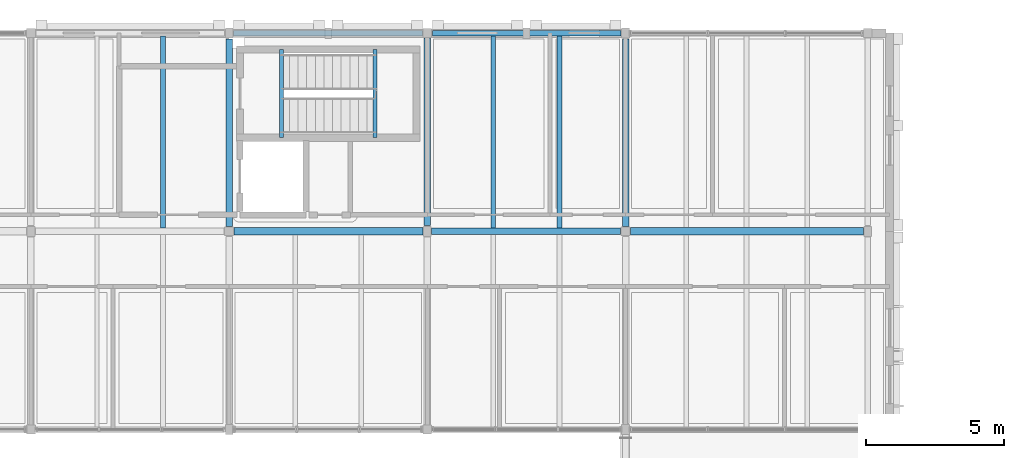
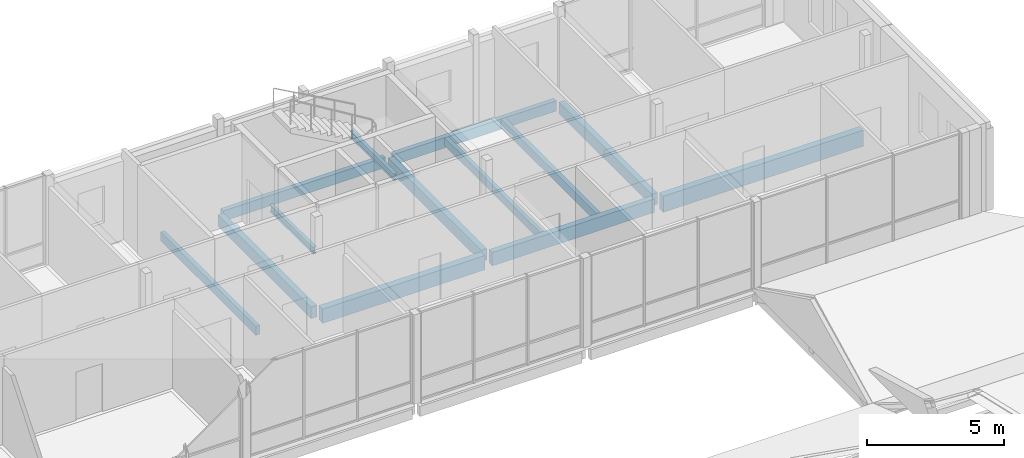
# One storey, part 30 of 115: 13 beams.
"""IFC4 building model written with IfcOpenShell, lengths in metres."""

from ifc_helpers import new_model, si_unit, direction, frame, origin, origin_2d, place, context, subcontext, project, spatial, rectangle, i_section, extrude, material, material_profile, profile_set, type_object, element, save


model = new_model("IFC4")

# Units and contexts
model_context = context("Model", 3, precision=1e-05, world=origin(), true_north=direction((0.0, 1.0)))
body_context = subcontext(model_context, "Body", "Model", "MODEL_VIEW")
ifc_project = project(units=[si_unit("LENGTHUNIT", "METRE"), si_unit("AREAUNIT", "SQUARE_METRE"), si_unit("VOLUMEUNIT", "CUBIC_METRE"), si_unit("PLANEANGLEUNIT", "RADIAN"), si_unit("MASSUNIT", "GRAM", prefix="KILO")], contexts=[model_context])

# Site, building, storey
site_placement = place(None, origin())
site = spatial("IfcSite", under=ifc_project, at=site_placement, CompositionType="ELEMENT")
building_placement = place(site_placement, origin())
building = spatial("IfcBuilding", under=site, at=building_placement, Name="Hawrajan Terrace Health Centre", CompositionType="ELEMENT")
storey_placement = place(building_placement, frame((0.0, 0.0, 9.0)))
storey = spatial("IfcBuildingStorey", under=building, at=storey_placement, Name="L02", CompositionType="ELEMENT", Elevation=9.0)

# Beams
ifc_material_1 = material(Name="Glulam GL32h", Category="wood")
ifc_material_profile_1 = material_profile(ifc_material_1, rectangle(XDim=0.239990234375, YDim=0.52001953125, at=origin_2d()), Name="GL BM 240x520")
ifc_profile_set_1 = profile_set([ifc_material_profile_1], Name="Glulam GL32h")
beam_type_1 = type_object("IfcBeamType", Name="GlulamGirder_240x520", PredefinedType="BEAM", material=ifc_profile_set_1)
for number, where, z_axis, x_axis, name in (
    (1, (47.800048828125, 52.780029296875, -0.5), (0.0, 1.0, 0.0), (-1.0, 0.0, 0.0), "Beam BM-Y-L02-W-X07-7"),
    (2, (55.0, 52.81005859375, -0.5), (0.0, 1.0, 0.0), (-1.0, 0.0, 0.0), "Beam BM-Y-L02-W-X08-7"),
    (3, (62.199951171875, 52.780029296875, -0.5), (0.0, 1.0, 0.0), (-1.0, 0.0, 0.0), "Beam BM-Y-L02-W-X09-7"),
):
    element("IfcBeam", number, at=place(storey_placement, frame(where, z_axis=z_axis, x_axis=x_axis)), inside=storey, type_object=beam_type_1, Name=name, PredefinedType="BEAM", context=body_context, shape_type="SweptSolid", body=[
        extrude(rectangle(XDim=0.239990234375, YDim=0.52001953125, at=origin_2d()), origin(), (0.0, 0.0, 1.0), 6.81005859375),
    ])
ifc_material_profile_2 = material_profile(ifc_material_1, rectangle(XDim=0.239990234375, YDim=0.60009765625, at=origin_2d()), Name="GL BM 240x600")
ifc_profile_set_2 = profile_set([ifc_material_profile_2], Name="Glulam GL32h")
beam_type_2 = type_object("IfcBeamType", Name="GlulamGirder_240x600", PredefinedType="BEAM", material=ifc_profile_set_2)
beam_1_placement = place(storey_placement, frame((55.159912109375, 52.60009765625, -0.5400390625), z_axis=(1.0, 0.0, 0.0), x_axis=(0.0, 1.0, 0.0)))
element("IfcBeam", 4, at=beam_1_placement, inside=storey, type_object=beam_type_2, Name="Beam BM-X-L02-W-08-Y7", PredefinedType="BEAM", context=body_context, shape_type="SweptSolid", body=[
    extrude(rectangle(XDim=0.239990234375, YDim=0.60009765625, at=origin_2d()), origin(), (0.0, 0.0, 1.0), 6.860107421875),
])
ifc_material_profile_3 = material_profile(ifc_material_1, rectangle(XDim=0.280029296875, YDim=0.639892578125, at=origin_2d()), Name="GL BM 280x640")
ifc_profile_set_3 = profile_set([ifc_material_profile_3], Name="Glulam GL32h")
beam_type_3 = type_object("IfcBeamType", Name="GlulamGirder_280x640", PredefinedType="BEAM", material=ifc_profile_set_3)
beam_2_placement = place(storey_placement, frame((47.97998046875, 52.60009765625, -0.56005859375), z_axis=(1.0, 0.0, 0.0), x_axis=(0.0, 1.0, 0.0)))
element("IfcBeam", 5, at=beam_2_placement, inside=storey, type_object=beam_type_3, Name="Beam BM-X-L02-W-07-Y7", PredefinedType="BEAM", context=body_context, shape_type="SweptSolid", body=[
    extrude(rectangle(XDim=0.280029296875, YDim=0.639892578125, at=origin_2d()), origin(), (0.0, 0.0, 1.0), 6.860107421875),
])
ifc_material_profile_4 = material_profile(ifc_material_1, rectangle(XDim=0.280029296875, YDim=0.719970703125, at=origin_2d()), Name="GL BM 280x720")
ifc_profile_set_4 = profile_set([ifc_material_profile_4], Name="Glulam GL32h")
beam_type_4 = type_object("IfcBeamType", Name="GlulamGirder_280x720", PredefinedType="BEAM", material=ifc_profile_set_4)
beam_3_placement = place(storey_placement, frame((62.3798828125, 52.60009765625, -0.60009765625), z_axis=(1.0, 0.0, 0.0), x_axis=(0.0, 1.0, 0.0)))
element("IfcBeam", 6, at=beam_3_placement, inside=storey, type_object=beam_type_4, Name="Beam BM-X-L02-W-09-Y7", PredefinedType="BEAM", context=body_context, shape_type="SweptSolid", body=[
    extrude(rectangle(XDim=0.280029296875, YDim=0.719970703125, at=origin_2d()), origin(), (0.0, 0.0, 1.0), 8.460205078125),
])
ifc_material_2 = material(Name="Glulam GL28h", Category="wood")
ifc_material_profile_5 = material_profile(ifc_material_2, rectangle(XDim=0.159912109375, YDim=0.360107421875, at=origin_2d()), Name="GL JST 160x360")
ifc_profile_set_5 = profile_set([ifc_material_profile_5], Name="Glulam GL28h")
beam_type_5 = type_object("IfcBeamType", Name="GlulamJoist_160x360", PredefinedType="JOIST", material=ifc_profile_set_5)
beam_4_placement = place(storey_placement, frame((57.39990234375, 52.719970703125, -0.419921875), z_axis=(0.0, 1.0, 0.0), x_axis=(-1.0, 0.0, 0.0)))
element("IfcBeam", 7, at=beam_4_placement, inside=storey, type_object=beam_type_5, Name="Secondary joist JST-L02-W-08-7-1", PredefinedType="JOIST", context=body_context, shape_type="SweptSolid", body=[
    extrude(rectangle(XDim=0.159912109375, YDim=0.360107421875, at=origin_2d()), origin(), (0.0, 0.0, 1.0), 6.97998046875),
])
ifc_material_profile_6 = material_profile(ifc_material_2, rectangle(XDim=0.179931640625, YDim=0.39990234375, at=origin_2d()), Name="GL JST 180x400")
ifc_profile_set_6 = profile_set([ifc_material_profile_6], Name="Glulam GL28h")
beam_type_6 = type_object("IfcBeamType", Name="GlulamJoist_180x400", PredefinedType="JOIST", material=ifc_profile_set_6)
for number, where, z_axis, x_axis, name in (
    (8, (45.39990234375, 52.719970703125, -0.43994140625), (0.0, 1.0, 0.0), (-1.0, 0.0, 0.0), "Secondary joist JST-L02-W-06-7-2"),
    (9, (59.800048828125, 52.719970703125, -0.43994140625), (0.0, 1.0, 0.0), (-1.0, 0.0, 0.0), "Secondary joist JST-L02-W-08-7-2"),
):
    element("IfcBeam", number, at=place(storey_placement, frame(where, z_axis=z_axis, x_axis=x_axis)), inside=storey, type_object=beam_type_6, Name=name, PredefinedType="JOIST", context=body_context, shape_type="SweptSolid", body=[
        extrude(rectangle(XDim=0.179931640625, YDim=0.39990234375, at=origin_2d()), origin(), (0.0, 0.0, 1.0), 6.97998046875),
    ])
ifc_material_profile_7 = material_profile(ifc_material_1, rectangle(XDim=0.199951171875, YDim=0.4599609375, at=origin_2d()), Name="GL SP 200x460")
ifc_profile_set_7 = profile_set([ifc_material_profile_7], Name="Glulam GL32h")
beam_type_7 = type_object("IfcBeamType", Name="GlulamSpandrel_200x460", PredefinedType="SPANDREL", material=ifc_profile_set_7)
for number, where, z_axis, x_axis, name in (
    (10, (47.9599609375, 59.800048828125, -0.469970703125), (1.0, 0.0, 0.0), (0.0, 1.0, 0.0), "Beam BM-X-L02-W-07-Y8"),
    (11, (55.179931640625, 59.800048828125, -0.469970703125), (1.0, 0.0, 0.0), (0.0, 1.0, 0.0), "Beam BM-X-L02-W-08-Y8"),
):
    element("IfcBeam", number, at=place(storey_placement, frame(where, z_axis=z_axis, x_axis=x_axis)), inside=storey, type_object=beam_type_7, Name=name, PredefinedType="SPANDREL", context=body_context, shape_type="SweptSolid", body=[
        extrude(rectangle(XDim=0.199951171875, YDim=0.4599609375, at=origin_2d()), origin(), (0.0, 0.0, 1.0), 6.860107421875),
    ])
ifc_material_3 = material(Name="Steel S355", Category="steel")
ifc_material_profile_8 = material_profile(ifc_material_3, i_section(OverallWidth=0.14990234375, OverallDepth=0.300048828125, WebThickness=0.007080078125, FlangeThickness=0.0107421875, FilletRadius=0.014892578125, at=origin_2d()), Name="IPE 300")
ifc_profile_set_8 = profile_set([ifc_material_profile_8], Name="Steel S355")
beam_type_8 = type_object("IfcBeamType", Name="SteelBeam_IPE300", PredefinedType="JOIST", material=ifc_profile_set_8)
for number, where, z_axis, x_axis, name in (
    (12, (49.699951171875, 56.0, -0.3701171875), (0.0, 1.0, 0.0), (-1.0, 0.0, 0.0), "Stair landing trimmer ST-2-L02-B0"),
    (13, (53.10009765625, 56.0, 1.72998046875), (0.0, 1.0, 0.0), (-1.0, 0.0, 0.0), "Stair half-landing trimmer ST-2-L02-B1"),
):
    element("IfcBeam", number, at=place(storey_placement, frame(where, z_axis=z_axis, x_axis=x_axis)), inside=storey, type_object=beam_type_8, Name=name, PredefinedType="JOIST", context=body_context, shape_type="SweptSolid", body=[
        extrude(i_section(OverallWidth=0.14990234375, OverallDepth=0.300048828125, WebThickness=0.007080078125, FlangeThickness=0.0107421875, FilletRadius=0.014892578125, at=origin_2d()), origin(), (0.0, 0.0, 1.0), 3.199951171875),
    ])

save(model, "model.ifc")
